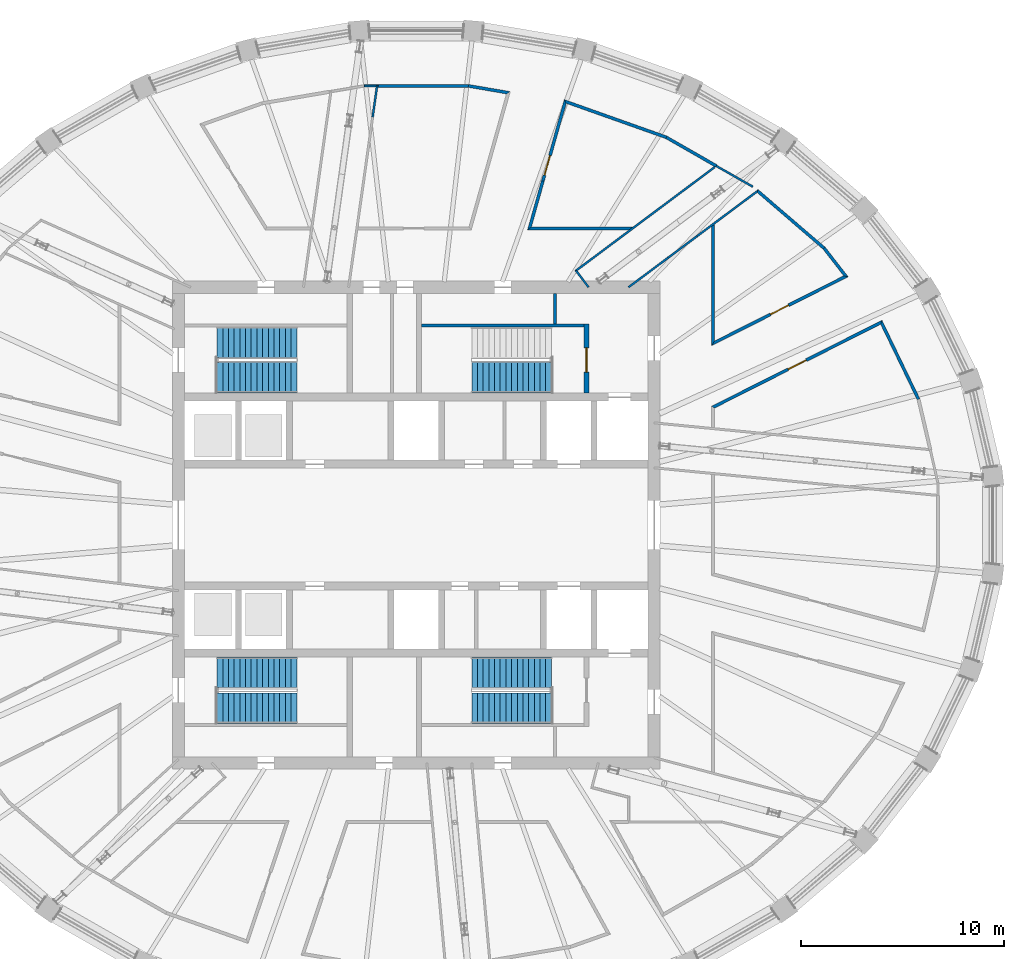
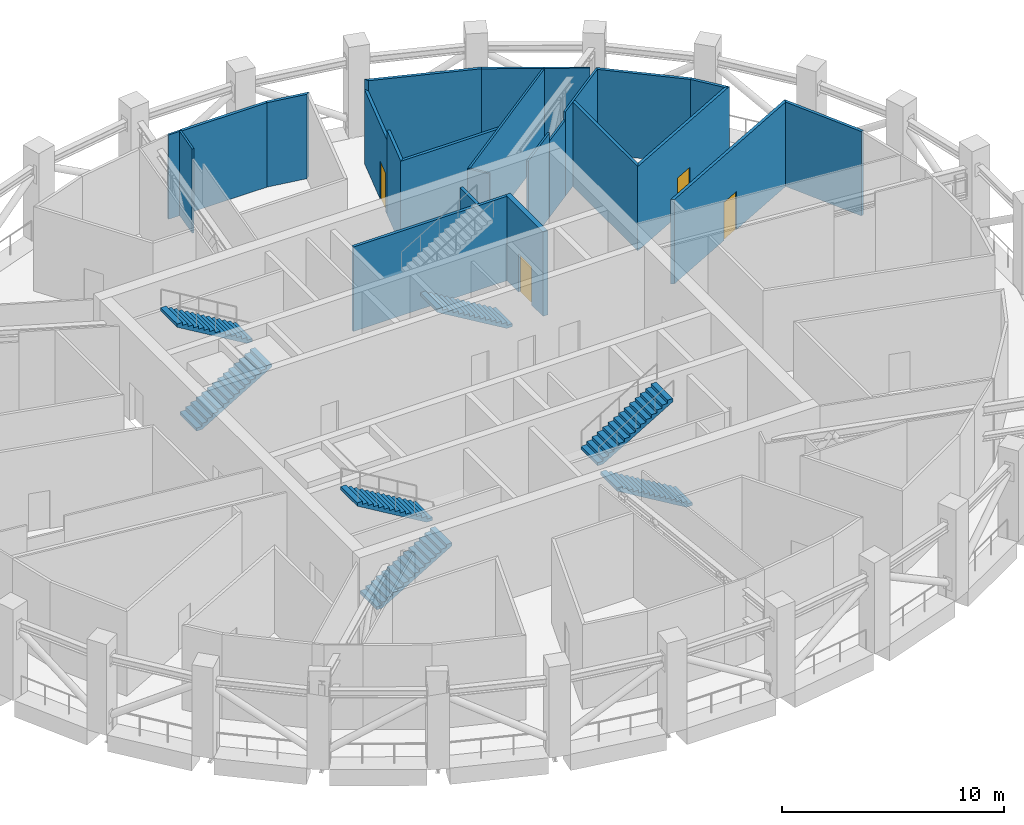
# One storey, part 11 of 20: 24 walls, 7 stair flights, 4 doors, 4 openings, 4 elements without a shape of their own.
"""IFC4 building model written with IfcOpenShell, lengths in metres."""

from ifc_helpers import new_model, si_unit, direction, frame, frame_2d, origin, place, context, subcontext, project, spatial, polyline, rectangle, outline, extrude, material, layer, layer_set, type_object, element, fill, aggregate, save


model = new_model("IFC4")

# Units and contexts
model_context = context("Model", 3, precision=1e-05, world=origin(), true_north=direction((0.0, 1.0)))
body_context = subcontext(model_context, "Body", "Model", "MODEL_VIEW")
ifc_project = project(units=[si_unit("LENGTHUNIT", "METRE"), si_unit("AREAUNIT", "SQUARE_METRE"), si_unit("VOLUMEUNIT", "CUBIC_METRE"), si_unit("PLANEANGLEUNIT", "RADIAN"), si_unit("MASSUNIT", "GRAM", prefix="KILO")], contexts=[model_context])

# Site, building, storey
site_placement = place(None, origin())
site = spatial("IfcSite", under=ifc_project, at=site_placement, CompositionType="ELEMENT")
building_placement = place(site_placement, origin())
building = spatial("IfcBuilding", under=site, at=building_placement, Name="Halqa Exchange Tower", CompositionType="ELEMENT")
storey_placement = place(building_placement, frame((0.0, 0.0, 328.300048828125)))
storey = spatial("IfcBuildingStorey", under=building, at=storey_placement, Name="L77", CompositionType="ELEMENT", Elevation=328.300048828125)

# Walls
ifc_material_1 = material(Name="Fire-rated gypsum board")
ifc_layer_1 = layer(ifc_material_1, 0.14990234375)
ifc_layer_set_1 = layer_set([ifc_layer_1], Name="Fire-rated gypsum board")
wall_type_1 = type_object("IfcWallType", Name="Fire partition EI 60 150", PredefinedType="PARTITIONING", material=ifc_layer_set_1)
wall_1_placement = place(storey_placement, frame((2.56640625, 21.610107421875, 0.0), z_axis=(0.0, 0.0, 1.0), x_axis=(-1.0, 0.0, 0.0)))
element("IfcWall", 1, at=wall_1_placement, inside=storey, type_object=wall_type_1, Name="L77-PWL-050", PredefinedType="PARTITIONING", context=body_context, shape_type="SweptSolid", body=[
    extrude(outline(polyline([(4.4462890625, 0.074951171875), (2.968505859375, 0.074951171875), (1.49072265625, 0.074951171875), (0.0126953125, 0.074951171875), (0.0, -0.074951171875), (1.482177734375, -0.074951171875), (2.964111328125, -0.074951171875), (4.4462890625, -0.074951171875), (4.4462890625, 0.074951171875)])), origin(), (0.0, 0.0, 1.0), 4.64990234375),
])
wall_2_placement = place(storey_placement, frame((2.5537109375, 21.611083984375, 0.0), z_axis=(0.0, 0.0, 1.0), x_axis=(0.985576619606, -0.169229804956, 0.0)))
element("IfcWall", 2, at=wall_2_placement, inside=storey, type_object=wall_type_1, Name="L77-PWL-051", PredefinedType="PARTITIONING", context=body_context, shape_type="SweptSolid", body=[
    extrude(outline(polyline([(0.0126953125, -0.074951171875), (1.92236328125, -0.074951171875), (2.0888671875, 0.074951171875), (2.0888671875, 0.074951171875), (0.0, 0.074951171875), (0.0, 0.074951171875), (0.0126953125, -0.074951171875)])), origin(), (0.0, 0.0, 1.0), 4.64990234375),
])
wall_3_placement = place(storey_placement, frame((5.470947265625, 14.60009765625, 0.0), z_axis=(0.0, 0.0, 1.0), x_axis=(1.0, 0.0, 0.0)))
element("IfcWall", 3, at=wall_3_placement, inside=storey, type_object=wall_type_1, Name="L77-PWL-055", PredefinedType="PARTITIONING", context=body_context, shape_type="SweptSolid", body=[
    extrude(outline(polyline([(0.000244140625, -0.074951171875), (1.6640625, -0.074951171875), (3.328125, -0.074951171875), (4.991943359375, -0.074951171875), (5.192626953125, 0.074951171875), (5.192626953125, 0.074951171875), (3.52783203125, 0.074951171875), (1.863037109375, 0.074951171875), (0.1982421875, 0.074951171875), (0.1982421875, 0.074951171875), (0.1982421875, 0.074951171875), (0.09912109375, 0.0), (0.000244140625, -0.074951171875)])), origin(), (0.0, 0.0, 1.0), 4.64990234375),
])

# Wall, opening, door
wall_4_placement = place(storey_placement, frame((7.353515625, 20.918701171875, 0.0), z_axis=(0.0, 0.0, 1.0), x_axis=(-0.271630861441, -0.9624015145, 0.0)))
wall_4 = element("IfcWall", 4, at=wall_4_placement, inside=storey, type_object=wall_type_1, Name="L77-PWL-057", PredefinedType="PARTITIONING", context=body_context, shape_type="SweptSolid", body=[
    extrude(outline(polyline([(4.144287109375, 0.074951171875), (2.15234375, 0.074951171875), (0.16015625, 0.074951171875), (0.0, -0.074951171875), (1.381591796875, -0.074951171875), (2.762939453125, -0.074951171875), (4.144287109375, -0.074951171875), (4.144287109375, 0.074951171875)])), origin(), (0.0, 0.0, 1.0), 4.099853515625),
])
opening_1_placement = place(wall_4_placement, frame((2.844482421875, 0.0, 0.0)))
opening_1 = element("IfcOpeningElement", 5, at=opening_1_placement, cuts=wall_4, Name="Opening L77-11", PredefinedType="OPENING", context=body_context, shape_type="SweptSolid", body=[
    extrude(rectangle(XDim=1.0, YDim=2.10009765625, at=frame_2d((0.5, 1.050048828125))), frame((0.0, 0.0869140625, 0.0), z_axis=(0.0, -1.0, 0.0), x_axis=(1.0, 0.0, 0.0)), (0.0, 0.0, 1.0), 0.173828125),
])
ifc_material_2 = material(Name="Steel fire door leaf", Category="steel")
door_type_1 = type_object("IfcDoorType", Name="Fire door FD30S 1000 x 2100", OperationType="SINGLE_SWING_LEFT", PredefinedType="DOOR", material=ifc_material_2)
door_1_placement = place(opening_1_placement, origin())
door_1 = element("IfcDoor", 6, at=door_1_placement, inside=storey, type_object=door_type_1, Name="L77-IDR-011", OperationType="SINGLE_SWING_LEFT", OverallHeight=2.10009765625, OverallWidth=1.0, PredefinedType="DOOR", context=body_context, shape_type="SweptSolid", body=[
    extrude(rectangle(XDim=1.0, YDim=2.10009765625, at=frame_2d((0.5, 1.050048828125))), frame((0.0, 0.02490234375, 0.0), z_axis=(0.0, -1.0, 0.0), x_axis=(1.0, 0.0, 0.0)), (0.0, 0.0, 1.0), 0.050048828125),
])
fill(opening_1, door_1)

# Wall
wall_5_placement = place(storey_placement, frame((12.306396484375, 19.07763671875, 0.0), z_axis=(0.0, 0.0, 1.0), x_axis=(-0.942502297723, 0.334199669042, 0.0)))
element("IfcWall", 7, at=wall_5_placement, inside=storey, type_object=wall_type_1, Name="L77-PWL-073", PredefinedType="PARTITIONING", context=body_context, shape_type="SweptSolid", body=[
    extrude(outline(polyline([(0.0, -0.074951171875), (1.7861328125, -0.074951171875), (3.572265625, -0.074951171875), (5.358154296875, -0.074951171875), (5.197998046875, 0.074951171875), (3.469970703125, 0.074951171875), (1.74169921875, 0.074951171875), (0.013671875, 0.074951171875), (0.0, -0.074951171875)])), origin(), (0.0, 0.0, 1.0), 4.64990234375),
])

# Wall, opening, door
wall_6_placement = place(storey_placement, frame((14.4912109375, 8.885009765625, 0.0), z_axis=(0.0, 0.0, 1.0), x_axis=(0.892775886328, 0.450501073018, 0.0)))
wall_6 = element("IfcWall", 8, at=wall_6_placement, inside=storey, type_object=wall_type_1, Name="L77-PWL-079", PredefinedType="PARTITIONING", context=body_context, shape_type="SweptSolid", body=[
    extrude(outline(polyline([(0.0, -0.074951171875), (1.884521484375, -0.074951171875), (3.76904296875, -0.074951171875), (5.653564453125, -0.074951171875), (7.538330078125, -0.074951171875), (7.3564453125, 0.074951171875), (5.578125, 0.074951171875), (3.800048828125, 0.074951171875), (2.021728515625, 0.074951171875), (0.24365234375, 0.074951171875), (0.0, -0.074951171875), (0.0, -0.074951171875)])), origin(), (0.0, 0.0, 1.0), 4.64990234375),
])
opening_2_placement = place(wall_6_placement, frame((3.28466796875, 0.0, 0.0)))
opening_2 = element("IfcOpeningElement", 9, at=opening_2_placement, cuts=wall_6, Name="Opening L77-10", PredefinedType="OPENING", context=body_context, shape_type="SweptSolid", body=[
    extrude(rectangle(XDim=1.0, YDim=2.10009765625, at=frame_2d((0.5, 1.050048828125))), frame((0.0, 0.0869140625, 0.0), z_axis=(0.0, -1.0, 0.0), x_axis=(1.0, 0.0, 0.0)), (0.0, 0.0, 1.0), 0.173828125),
])
door_2_placement = place(opening_2_placement, origin())
door_2 = element("IfcDoor", 10, at=door_2_placement, inside=storey, type_object=door_type_1, Name="L77-IDR-010", OperationType="SINGLE_SWING_LEFT", OverallHeight=2.10009765625, OverallWidth=1.0, PredefinedType="DOOR", context=body_context, shape_type="SweptSolid", body=[
    extrude(rectangle(XDim=1.0, YDim=2.10009765625, at=frame_2d((0.5, 1.050048828125))), frame((0.0, 0.02490234375, 0.0), z_axis=(0.0, -1.0, 0.0), x_axis=(1.0, 0.0, 0.0)), (0.0, 0.0, 1.0), 0.050048828125),
])
fill(opening_2, door_2)

# Walls
wall_7_placement = place(storey_placement, frame((14.60009765625, 14.79443359375, 0.0), z_axis=(0.0, 0.0, 1.0), x_axis=(0.0, -1.0, 0.0)))
element("IfcWall", 11, at=wall_7_placement, inside=storey, type_object=wall_type_1, Name="L77-PWL-080", PredefinedType="PARTITIONING", context=body_context, shape_type="SweptSolid", body=[
    extrude(outline(polyline([(0.111328125, -0.074951171875), (2.066162109375, -0.074951171875), (4.021240234375, -0.074951171875), (5.97607421875, -0.074951171875), (5.8544921875, 0.0), (5.732421875, 0.074951171875), (5.732421875, 0.074951171875), (5.732421875, 0.074951171875), (3.82177734375, 0.074951171875), (1.910888671875, 0.074951171875), (0.0, 0.074951171875), (0.0, 0.074462890625), (0.111328125, -0.074951171875)])), origin(), (0.0, 0.0, 1.0), 4.64990234375),
])
wall_8_placement = place(storey_placement, frame((14.760009765625, 17.669921875, 0.0), z_axis=(0.0, 0.0, 1.0), x_axis=(-0.867555136947, 0.497341014151, 0.0)))
element("IfcWall", 12, at=wall_8_placement, inside=storey, type_object=wall_type_1, Name="L77-PWL-081", PredefinedType="PARTITIONING", context=body_context, shape_type="SweptSolid", body=[
    extrude(outline(polyline([(0.0, -0.074951171875), (1.421142578125, -0.074951171875), (2.84228515625, -0.074951171875), (2.828857421875, 0.074951171875), (1.414306640625, 0.074951171875), (0.0, 0.074951171875), (0.0, -0.074951171875)])), origin(), (0.0, 0.0, 1.0), 4.64990234375),
])
wall_9_placement = place(storey_placement, frame((20.07568359375, 13.614990234375, 0.0), z_axis=(0.0, 0.0, 1.0), x_axis=(-0.758268185536, 0.651942757306, 0.0)))
element("IfcWall", 13, at=wall_9_placement, inside=storey, type_object=wall_type_1, Name="L77-PWL-086", PredefinedType="PARTITIONING", context=body_context, shape_type="SweptSolid", body=[
    extrude(outline(polyline([(0.0, -0.074951171875), (1.4541015625, -0.074951171875), (2.908447265625, -0.074951171875), (4.362548828125, -0.074951171875), (4.293701171875, 0.074951171875), (2.867431640625, 0.074951171875), (1.44140625, 0.074951171875), (0.01513671875, 0.074951171875), (0.0, -0.074951171875)])), origin(), (0.0, 0.0, 1.0), 4.64990234375),
])
wall_10_placement = place(storey_placement, frame((21.19580078125, 12.168212890625, 0.0), z_axis=(0.0, 0.0, 1.0), x_axis=(-0.612776292464, 0.790256423823, 0.0)))
element("IfcWall", 14, at=wall_10_placement, inside=storey, type_object=wall_type_1, Name="L77-PWL-087", PredefinedType="PARTITIONING", context=body_context, shape_type="SweptSolid", body=[
    extrude(outline(polyline([(0.0, -0.074951171875), (1.8447265625, -0.074951171875), (1.82958984375, 0.074951171875), (0.181640625, 0.074951171875), (0.0, -0.07470703125), (0.0, -0.074951171875)])), origin(), (0.0, 0.0, 1.0), 4.64990234375),
])

# Wall, opening, door
wall_11_placement = place(storey_placement, frame((22.947998046875, 10.014404296875, 0.0), z_axis=(0.0, 0.0, 1.0), x_axis=(-0.892695521655, -0.450660299579, 0.0)))
wall_11 = element("IfcWall", 15, at=wall_11_placement, inside=storey, type_object=wall_type_1, Name="L77-PWL-089", PredefinedType="PARTITIONING", context=body_context, shape_type="SweptSolid", body=[
    extrude(outline(polyline([(9.3974609375, -0.074951171875), (9.3974609375, -0.07470703125), (9.305419921875, 0.074951171875), (7.474853515625, 0.074951171875), (5.644287109375, 0.074951171875), (3.813720703125, 0.074951171875), (1.98291015625, 0.074951171875), (0.15234375, 0.074951171875), (0.0, -0.07470703125), (0.0, -0.074951171875), (1.87939453125, -0.074951171875), (3.759033203125, -0.074951171875), (5.638427734375, -0.074951171875), (7.51806640625, -0.074951171875), (9.3974609375, -0.074951171875)])), origin(), (0.0, 0.0, 1.0), 4.64990234375),
])
opening_3_placement = place(wall_11_placement, frame((4.214111328125, 0.0, 0.0)))
opening_3 = element("IfcOpeningElement", 16, at=opening_3_placement, cuts=wall_11, Name="Opening L77-09", PredefinedType="OPENING", context=body_context, shape_type="SweptSolid", body=[
    extrude(rectangle(XDim=1.0, YDim=2.10009765625, at=frame_2d((0.5, 1.050048828125))), frame((0.0, 0.0869140625, 0.0), z_axis=(0.0, -1.0, 0.0), x_axis=(1.0, 0.0, 0.0)), (0.0, 0.0, 1.0), 0.173828125),
])
door_3_placement = place(opening_3_placement, origin())
door_3 = element("IfcDoor", 17, at=door_3_placement, inside=storey, type_object=door_type_1, Name="L77-IDR-009", OperationType="SINGLE_SWING_RIGHT", OverallHeight=2.10009765625, OverallWidth=1.0, PredefinedType="DOOR", context=body_context, shape_type="SweptSolid", body=[
    extrude(rectangle(XDim=1.0, YDim=2.10009765625, at=frame_2d((0.5, 1.050048828125))), frame((0.0, 0.02490234375, 0.0), z_axis=(0.0, -1.0, 0.0), x_axis=(1.0, 0.0, 0.0)), (0.0, 0.0, 1.0), 0.050048828125),
])
fill(opening_3, door_3)

# Walls
wall_12_placement = place(storey_placement, frame((24.713623046875, 6.1826171875, 0.0), z_axis=(0.0, 0.0, 1.0), x_axis=(-0.434865155108, 0.900495584038, 0.0)))
element("IfcWall", 18, at=wall_12_placement, inside=storey, type_object=wall_type_1, Name="L77-PWL-091", PredefinedType="PARTITIONING", context=body_context, shape_type="SweptSolid", body=[
    extrude(outline(polyline([(0.0, -0.074951171875), (1.430908203125, -0.074951171875), (2.862060546875, -0.074951171875), (4.29296875, -0.074951171875), (4.140380859375, 0.074951171875), (2.765869140625, 0.074951171875), (1.39111328125, 0.074951171875), (0.0166015625, 0.074951171875), (0.0, -0.07421875), (0.0, -0.074951171875)])), origin(), (0.0, 0.0, 1.0), 4.64990234375),
])
wall_13_placement = place(storey_placement, frame((6.227783203125, 16.93017578125, 0.0), z_axis=(0.0, 0.0, 1.0), x_axis=(-0.271623518644, -0.962403586922, 0.0)))
element("IfcWall", 19, at=wall_13_placement, inside=storey, type_object=wall_type_1, Name="L77-PWL-103", PredefinedType="PARTITIONING", context=body_context, shape_type="SweptSolid", body=[
    extrude(outline(polyline([(0.0, -0.074951171875), (1.260009765625, -0.074951171875), (2.52001953125, -0.074951171875), (2.322021484375, 0.074951171875), (0.0, 0.074951171875), (0.0, -0.074951171875)])), origin(), (0.0, 0.0, 1.0), 4.64990234375),
])
ifc_material_3 = material(Name="Gypsum board")
ifc_layer_2 = layer(ifc_material_3, 0.10009765625)
ifc_layer_set_2 = layer_set([ifc_layer_2], Name="Gypsum board")
wall_type_2 = type_object("IfcWallType", Name="Partition 100 gypsum", PredefinedType="PARTITIONING", material=ifc_layer_set_2)
wall_14_placement = place(storey_placement, frame((-1.880615234375, 21.610107421875, 0.0), z_axis=(0.0, 0.0, 1.0), x_axis=(-1.0, 0.0, 0.0)))
element("IfcWall", 20, at=wall_14_placement, inside=storey, type_object=wall_type_2, Name="L77-PWL-045", PredefinedType="PARTITIONING", context=body_context, shape_type="SweptSolid", body=[
    extrude(outline(polyline([(0.68359375, -0.050048828125), (0.68359375, -0.0498046875), (0.68359375, -0.0498046875), (0.666748046875, 0.048828125), (0.674560546875, 0.050048828125), (0.10595703125, 0.050048828125), (0.097900390625, -0.0068359375), (0.0, 0.007080078125), (0.0, -0.050048828125), (0.68359375, -0.050048828125)])), origin(), (0.0, 0.0, 1.0), 4.64990234375),
])
wall_15_placement = place(storey_placement, frame((7.82958984375, 12.56005859375, 0.0), z_axis=(0.0, 0.0, 1.0), x_axis=(0.603146922662, -0.79763010831, 0.0)))
element("IfcWall", 21, at=wall_15_placement, inside=storey, type_object=wall_type_2, Name="L77-PWL-059", PredefinedType="PARTITIONING", context=body_context, shape_type="SweptSolid", body=[
    extrude(outline(polyline([(1.078369140625, 0.050048828125), (0.1005859375, 0.050048828125), (0.0, -0.0498046875), (0.0, -0.050048828125), (1.078369140625, -0.050048828125), (1.078369140625, 0.050048828125)])), origin(), (0.0, 0.0, 1.0), 4.64990234375),
])
wall_16_placement = place(storey_placement, frame((7.819580078125, 12.489990234375, 0.0), z_axis=(0.0, 0.0, 1.0), x_axis=(0.801408213351, 0.598117777343, 0.0)))
element("IfcWall", 22, at=wall_16_placement, inside=storey, type_object=wall_type_2, Name="L77-PWL-060", PredefinedType="PARTITIONING", context=body_context, shape_type="SweptSolid", body=[
    extrude(outline(polyline([(0.0, 0.050048828125), (0.0, 0.0498046875), (0.1005859375, -0.050048828125), (1.7919921875, -0.050048828125), (3.4833984375, -0.050048828125), (5.175048828125, -0.050048828125), (6.866455078125, -0.050048828125), (8.557861328125, -0.050048828125), (8.557861328125, 0.050048828125), (6.84619140625, 0.050048828125), (5.134765625, 0.050048828125), (3.423095703125, 0.050048828125), (1.711669921875, 0.050048828125), (0.0, 0.050048828125)])), origin(), (0.0, 0.0, 1.0), 4.64990234375),
])
wall_17_placement = place(storey_placement, frame((10.43994140625, 11.699951171875, 0.0), z_axis=(0.0, 0.0, 1.0), x_axis=(0.801719620775, 0.597700300873, 0.0)))
element("IfcWall", 23, at=wall_17_placement, inside=storey, type_object=wall_type_2, Name="L77-PWL-065", PredefinedType="PARTITIONING", context=body_context, shape_type="SweptSolid", body=[
    extrude(outline(polyline([(0.0, 0.050048828125), (0.0, -0.050048828125), (2.431640625, -0.050048828125), (2.431640625, 0.050048828125), (0.0, 0.050048828125)])), origin(), (0.0, 0.0, 1.0), 4.64990234375),
])
wall_18_placement = place(storey_placement, frame((16.5634765625, 16.645263671875, 0.0), z_axis=(0.0, 0.0, 1.0), x_axis=(-0.86946460017, 0.493995252053, 0.0)))
element("IfcWall", 24, at=wall_18_placement, inside=storey, type_object=wall_type_2, Name="L77-PWL-083", PredefinedType="PARTITIONING", context=body_context, shape_type="SweptSolid", body=[
    extrude(rectangle(XDim=2.07421875, YDim=0.10009765625, at=frame_2d((1.037109375, 0.0))), origin(), (0.0, 0.0, 1.0), 4.64990234375),
])
wall_19_placement = place(storey_placement, frame((-2.146728515625, 20.070068359375, 0.0), z_axis=(0.0, 0.0, 1.0), x_axis=(0.140036551546, 0.990146334756, 0.0)))
element("IfcWall", 25, at=wall_19_placement, inside=storey, type_object=wall_type_2, Name="L77-PWL-102", PredefinedType="PARTITIONING", context=body_context, shape_type="SweptSolid", body=[
    extrude(rectangle(XDim=1.55517578125, YDim=0.10009765625, at=frame_2d((0.777587890625, 0.0))), origin(), (0.0, 0.0, 1.0), 4.64990234375),
])
wall_20_placement = place(storey_placement, frame((12.389404296875, 13.1533203125, 0.0), z_axis=(0.0, 0.0, 1.0), x_axis=(0.801690929697, 0.597738783451, 0.0)))
element("IfcWall", 26, at=wall_20_placement, inside=storey, type_object=wall_type_2, Name="L77-PWL-104", PredefinedType="PARTITIONING", context=body_context, shape_type="SweptSolid", body=[
    extrude(outline(polyline([(0.0, 0.050048828125), (0.0, -0.050048828125), (1.78125, -0.050048828125), (1.78125, 0.050048828125), (0.0, 0.050048828125)])), origin(), (0.0, 0.0, 1.0), 4.199951171875),
])
wall_21_placement = place(storey_placement, frame((13.8173828125, 14.218017578125, 0.0), z_axis=(0.0, 0.0, 1.0), x_axis=(0.801741359851, 0.597671140264, 0.0)))
element("IfcWall", 27, at=wall_21_placement, inside=storey, type_object=wall_type_2, Name="L77-PWL-105", PredefinedType="PARTITIONING", context=body_context, shape_type="SweptSolid", body=[
    extrude(outline(polyline([(0.0, -0.050048828125), (1.8232421875, -0.050048828125), (3.646728515625, -0.050048828125), (3.778076171875, 0.050048828125), (3.778076171875, 0.050048828125), (1.88916015625, 0.050048828125), (0.0, 0.050048828125), (0.0, -0.050048828125)])), origin(), (0.0, 0.0, 1.0), 4.64990234375),
])
ifc_layer_3 = layer(ifc_material_3, 0.14990234375)
ifc_layer_set_3 = layer_set([ifc_layer_3], Name="Gypsum board")
wall_type_3 = type_object("IfcWallType", Name="Penthouse riser wall 150 gypsum", PredefinedType="PARTITIONING", material=ifc_layer_set_3)
wall_22_placement = place(storey_placement, frame((6.824951171875, 9.89990234375, 0.0), z_axis=(0.0, 0.0, 1.0), x_axis=(0.0, 1.0, 0.0)))
element("IfcWall", 28, at=wall_22_placement, inside=storey, type_object=wall_type_3, Name="Firefighting lobby west wall N", PredefinedType="PARTITIONING", context=body_context, shape_type="SweptSolid", body=[
    extrude(rectangle(XDim=1.5, YDim=0.14990234375, at=frame_2d((0.75, 0.0))), origin(), (0.0, 0.0, 1.0), 4.64990234375),
])
ifc_material_4 = material(Name="Concrete C30/37", Category="concrete")
ifc_layer_4 = layer(ifc_material_4, 0.14990234375)
ifc_layer_set_4 = layer_set([ifc_layer_4], Name="Concrete C30/37")
wall_type_4 = type_object("IfcWallType", Name="RC stair wall 150 C30/37", PredefinedType="SHEAR", material=ifc_layer_set_4)
wall_23_placement = place(storey_placement, frame((0.25, 9.824951171875, 0.0), z_axis=(0.0, 0.0, 1.0), x_axis=(1.0, 0.0, 0.0)))
element("IfcWall", 29, at=wall_23_placement, inside=storey, type_object=wall_type_4, Name="Stair ST2 north wall N", PredefinedType="SHEAR", context=body_context, shape_type="SweptSolid", body=[
    extrude(rectangle(XDim=8.0, YDim=0.14990234375, at=frame_2d((4.0, 0.0))), origin(), (0.0, 0.0, 1.0), 4.64990234375),
])

# Wall, opening, door
ifc_layer_5 = layer(ifc_material_4, 0.25)
ifc_layer_set_5 = layer_set([ifc_layer_5], Name="Concrete C30/37")
wall_type_5 = type_object("IfcWallType", Name="RC stair wall 250 C30/37", PredefinedType="SHEAR", material=ifc_layer_set_5)
wall_24_placement = place(storey_placement, frame((8.375, 6.5, 0.0), z_axis=(0.0, 0.0, 1.0), x_axis=(0.0, 1.0, 0.0)))
wall_24 = element("IfcWall", 30, at=wall_24_placement, inside=storey, type_object=wall_type_5, Name="Stair ST2 east wall N", PredefinedType="SHEAR", context=body_context, shape_type="SweptSolid", body=[
    extrude(rectangle(XDim=3.39990234375, YDim=0.25, at=frame_2d((1.699951171875, 0.0))), origin(), (0.0, 0.0, 1.0), 4.64990234375),
])
opening_4_placement = place(wall_24_placement, frame((1.02490234375, 0.0, 0.0)))
opening_4 = element("IfcOpeningElement", 31, at=opening_4_placement, cuts=wall_24, Name="Opening L77-C08", PredefinedType="OPENING", context=body_context, shape_type="SweptSolid", body=[
    extrude(rectangle(XDim=1.199951171875, YDim=2.10009765625, at=frame_2d((0.60009765625, 1.050048828125))), frame((0.0, 0.136962890625, 0.0), z_axis=(0.0, -1.0, 0.0), x_axis=(1.0, 0.0, 0.0)), (0.0, 0.0, 1.0), 0.27392578125),
])
door_type_2 = type_object("IfcDoorType", Name="Stair door FD90 1200 x 2100", OperationType="SINGLE_SWING_LEFT", PredefinedType="DOOR", material=ifc_material_2)
door_4_placement = place(opening_4_placement, origin())
door_4 = element("IfcDoor", 32, at=door_4_placement, inside=storey, type_object=door_type_2, Name="Stair door ST2", OperationType="SINGLE_SWING_LEFT", OverallHeight=2.10009765625, OverallWidth=1.199951171875, PredefinedType="DOOR", context=body_context, shape_type="SweptSolid", body=[
    extrude(rectangle(XDim=1.199951171875, YDim=2.10009765625, at=frame_2d((0.60009765625, 1.050048828125))), frame((0.0, 0.02490234375, 0.0), z_axis=(0.0, -1.0, 0.0), x_axis=(1.0, 0.0, 0.0)), (0.0, 0.0, 1.0), 0.050048828125),
])
fill(opening_4, door_4)

# Stair, stair flights
stair_type = type_object("IfcStairType", Name="Exit stair 1500 wide", PredefinedType="HALF_TURN_STAIR", material=ifc_material_4)
stair_1_placement = place(storey_placement, origin())
stair_1 = element("IfcStair", 33, at=stair_1_placement, inside=storey, type_object=stair_type, Name="Exit stair ST1", PredefinedType="HALF_TURN_STAIR")
stair_flight_type = type_object("IfcStairFlightType", Name="Stair flight 1500 wide", PredefinedType="STRAIGHT", material=ifc_material_4)
stair_flight_1_placement = place(storey_placement, frame((-9.800048828125, 7.25, 0.0), z_axis=(0.0, 0.0, 1.0), x_axis=(1.0, 0.0, 0.0)))
stair_flight_1 = element("IfcStairFlight", 34, at=stair_flight_1_placement, type_object=stair_flight_type, Name="ST1 flight 1", NumberOfRisers=15, NumberOfTreads=14, PredefinedType="STRAIGHT", RiserHeight=0.166666667, TreadLength=0.28, context=body_context, shape_type="SweptSolid", body=[
    extrude(outline(polyline([(0.0, 0.0), (0.0, 0.166748046875), (0.280029296875, 0.166748046875), (0.280029296875, 0.333251953125), (0.56005859375, 0.333251953125), (0.56005859375, 0.5), (0.840087890625, 0.5), (0.840087890625, 0.666748046875), (1.1201171875, 0.666748046875), (1.1201171875, 0.833251953125), (1.39990234375, 0.833251953125), (1.39990234375, 1.0), (1.679931640625, 1.0), (1.679931640625, 1.166748046875), (1.9599609375, 1.166748046875), (1.9599609375, 1.333251953125), (2.239990234375, 1.333251953125), (2.239990234375, 1.5), (2.52001953125, 1.5), (2.52001953125, 1.666748046875), (2.800048828125, 1.666748046875), (2.800048828125, 1.833251953125), (3.080078125, 1.833251953125), (3.080078125, 2.0), (3.360107421875, 2.0), (3.360107421875, 2.166748046875), (3.639892578125, 2.166748046875), (3.639892578125, 2.333251953125), (3.919921875, 2.333251953125), (3.919921875, 2.5), (3.919921875, 2.158935546875), (0.29296875, 0.0), (0.0, 0.0)])), frame((0.0, 0.75, 0.0), z_axis=(0.0, -1.0, 0.0), x_axis=(1.0, 0.0, 0.0)), (0.0, 0.0, 1.0), 1.5),
])
stair_flight_2_placement = place(storey_placement, frame((-5.8798828125, 9.0, 2.5), z_axis=(0.0, 0.0, 1.0), x_axis=(-1.0, 0.0, 0.0)))
stair_flight_2 = element("IfcStairFlight", 35, at=stair_flight_2_placement, type_object=stair_flight_type, Name="ST1 flight 2", NumberOfRisers=15, NumberOfTreads=14, PredefinedType="STRAIGHT", RiserHeight=0.166666667, TreadLength=0.28, context=body_context, shape_type="SweptSolid", body=[
    extrude(outline(polyline([(0.0, 0.0), (0.0, 0.166748046875), (0.280029296875, 0.166748046875), (0.280029296875, 0.333251953125), (0.56005859375, 0.333251953125), (0.56005859375, 0.5), (0.840087890625, 0.5), (0.840087890625, 0.666748046875), (1.1201171875, 0.666748046875), (1.1201171875, 0.833251953125), (1.39990234375, 0.833251953125), (1.39990234375, 1.0), (1.679931640625, 1.0), (1.679931640625, 1.166748046875), (1.9599609375, 1.166748046875), (1.9599609375, 1.333251953125), (2.239990234375, 1.333251953125), (2.239990234375, 1.5), (2.52001953125, 1.5), (2.52001953125, 1.666748046875), (2.800048828125, 1.666748046875), (2.800048828125, 1.833251953125), (3.080078125, 1.833251953125), (3.080078125, 2.0), (3.360107421875, 2.0), (3.360107421875, 2.166748046875), (3.639892578125, 2.166748046875), (3.639892578125, 2.333251953125), (3.919921875, 2.333251953125), (3.919921875, 2.5), (3.919921875, 2.158935546875), (0.29296875, 0.0), (0.0, 0.0)])), frame((0.0, 0.75, 0.0), z_axis=(0.0, -1.0, 0.0), x_axis=(1.0, 0.0, 0.0)), (0.0, 0.0, 1.0), 1.5),
])
aggregate(stair_1, [stair_flight_1, stair_flight_2])

# Stair, stair flight
stair_2_placement = place(storey_placement, origin())
stair_2 = element("IfcStair", 36, at=stair_2_placement, inside=storey, type_object=stair_type, Name="Exit stair ST2", PredefinedType="HALF_TURN_STAIR")
stair_flight_3_placement = place(storey_placement, frame((6.64990234375, 7.25, 0.0), z_axis=(0.0, 0.0, 1.0), x_axis=(-1.0, 0.0, 0.0)))
stair_flight_3 = element("IfcStairFlight", 37, at=stair_flight_3_placement, type_object=stair_flight_type, Name="ST2 flight 1", NumberOfRisers=15, NumberOfTreads=14, PredefinedType="STRAIGHT", RiserHeight=0.166666667, TreadLength=0.28, context=body_context, shape_type="SweptSolid", body=[
    extrude(outline(polyline([(0.0, 0.0), (0.0, 0.166748046875), (0.280029296875, 0.166748046875), (0.280029296875, 0.333251953125), (0.56005859375, 0.333251953125), (0.56005859375, 0.5), (0.840087890625, 0.5), (0.840087890625, 0.666748046875), (1.1201171875, 0.666748046875), (1.1201171875, 0.833251953125), (1.39990234375, 0.833251953125), (1.39990234375, 1.0), (1.679931640625, 1.0), (1.679931640625, 1.166748046875), (1.9599609375, 1.166748046875), (1.9599609375, 1.333251953125), (2.239990234375, 1.333251953125), (2.239990234375, 1.5), (2.52001953125, 1.5), (2.52001953125, 1.666748046875), (2.800048828125, 1.666748046875), (2.800048828125, 1.833251953125), (3.080078125, 1.833251953125), (3.080078125, 2.0), (3.360107421875, 2.0), (3.360107421875, 2.166748046875), (3.639892578125, 2.166748046875), (3.639892578125, 2.333251953125), (3.919921875, 2.333251953125), (3.919921875, 2.5), (3.919921875, 2.158935546875), (0.29296875, 0.0), (0.0, 0.0)])), frame((0.0, 0.75, 0.0), z_axis=(0.0, -1.0, 0.0), x_axis=(1.0, 0.0, 0.0)), (0.0, 0.0, 1.0), 1.5),
])
aggregate(stair_2, [stair_flight_3])

# Stair, stair flights
stair_3_placement = place(storey_placement, origin())
stair_3 = element("IfcStair", 38, at=stair_3_placement, inside=storey, type_object=stair_type, Name="Exit stair ST3", PredefinedType="HALF_TURN_STAIR")
stair_flight_4_placement = place(storey_placement, frame((-9.800048828125, -9.0, 0.0), z_axis=(0.0, 0.0, 1.0), x_axis=(1.0, 0.0, 0.0)))
stair_flight_4 = element("IfcStairFlight", 39, at=stair_flight_4_placement, type_object=stair_flight_type, Name="ST3 flight 1", NumberOfRisers=15, NumberOfTreads=14, PredefinedType="STRAIGHT", RiserHeight=0.166666667, TreadLength=0.28, context=body_context, shape_type="SweptSolid", body=[
    extrude(outline(polyline([(0.0, 0.0), (0.0, 0.166748046875), (0.280029296875, 0.166748046875), (0.280029296875, 0.333251953125), (0.56005859375, 0.333251953125), (0.56005859375, 0.5), (0.840087890625, 0.5), (0.840087890625, 0.666748046875), (1.1201171875, 0.666748046875), (1.1201171875, 0.833251953125), (1.39990234375, 0.833251953125), (1.39990234375, 1.0), (1.679931640625, 1.0), (1.679931640625, 1.166748046875), (1.9599609375, 1.166748046875), (1.9599609375, 1.333251953125), (2.239990234375, 1.333251953125), (2.239990234375, 1.5), (2.52001953125, 1.5), (2.52001953125, 1.666748046875), (2.800048828125, 1.666748046875), (2.800048828125, 1.833251953125), (3.080078125, 1.833251953125), (3.080078125, 2.0), (3.360107421875, 2.0), (3.360107421875, 2.166748046875), (3.639892578125, 2.166748046875), (3.639892578125, 2.333251953125), (3.919921875, 2.333251953125), (3.919921875, 2.5), (3.919921875, 2.158935546875), (0.29296875, 0.0), (0.0, 0.0)])), frame((0.0, 0.75, 0.0), z_axis=(0.0, -1.0, 0.0), x_axis=(1.0, 0.0, 0.0)), (0.0, 0.0, 1.0), 1.5),
])
stair_flight_5_placement = place(storey_placement, frame((-5.8798828125, -7.25, 2.5), z_axis=(0.0, 0.0, 1.0), x_axis=(-1.0, 0.0, 0.0)))
stair_flight_5 = element("IfcStairFlight", 40, at=stair_flight_5_placement, type_object=stair_flight_type, Name="ST3 flight 2", NumberOfRisers=15, NumberOfTreads=14, PredefinedType="STRAIGHT", RiserHeight=0.166666667, TreadLength=0.28, context=body_context, shape_type="SweptSolid", body=[
    extrude(outline(polyline([(0.0, 0.0), (0.0, 0.166748046875), (0.280029296875, 0.166748046875), (0.280029296875, 0.333251953125), (0.56005859375, 0.333251953125), (0.56005859375, 0.5), (0.840087890625, 0.5), (0.840087890625, 0.666748046875), (1.1201171875, 0.666748046875), (1.1201171875, 0.833251953125), (1.39990234375, 0.833251953125), (1.39990234375, 1.0), (1.679931640625, 1.0), (1.679931640625, 1.166748046875), (1.9599609375, 1.166748046875), (1.9599609375, 1.333251953125), (2.239990234375, 1.333251953125), (2.239990234375, 1.5), (2.52001953125, 1.5), (2.52001953125, 1.666748046875), (2.800048828125, 1.666748046875), (2.800048828125, 1.833251953125), (3.080078125, 1.833251953125), (3.080078125, 2.0), (3.360107421875, 2.0), (3.360107421875, 2.166748046875), (3.639892578125, 2.166748046875), (3.639892578125, 2.333251953125), (3.919921875, 2.333251953125), (3.919921875, 2.5), (3.919921875, 2.158935546875), (0.29296875, 0.0), (0.0, 0.0)])), frame((0.0, 0.75, 0.0), z_axis=(0.0, -1.0, 0.0), x_axis=(1.0, 0.0, 0.0)), (0.0, 0.0, 1.0), 1.5),
])
aggregate(stair_3, [stair_flight_4, stair_flight_5])

stair_4_placement = place(storey_placement, origin())
stair_4 = element("IfcStair", 41, at=stair_4_placement, inside=storey, type_object=stair_type, Name="Exit stair ST4", PredefinedType="HALF_TURN_STAIR")
stair_flight_6_placement = place(storey_placement, frame((6.64990234375, -9.0, 0.0), z_axis=(0.0, 0.0, 1.0), x_axis=(-1.0, 0.0, 0.0)))
stair_flight_6 = element("IfcStairFlight", 42, at=stair_flight_6_placement, type_object=stair_flight_type, Name="ST4 flight 1", NumberOfRisers=15, NumberOfTreads=14, PredefinedType="STRAIGHT", RiserHeight=0.166666667, TreadLength=0.28, context=body_context, shape_type="SweptSolid", body=[
    extrude(outline(polyline([(0.0, 0.0), (0.0, 0.166748046875), (0.280029296875, 0.166748046875), (0.280029296875, 0.333251953125), (0.56005859375, 0.333251953125), (0.56005859375, 0.5), (0.840087890625, 0.5), (0.840087890625, 0.666748046875), (1.1201171875, 0.666748046875), (1.1201171875, 0.833251953125), (1.39990234375, 0.833251953125), (1.39990234375, 1.0), (1.679931640625, 1.0), (1.679931640625, 1.166748046875), (1.9599609375, 1.166748046875), (1.9599609375, 1.333251953125), (2.239990234375, 1.333251953125), (2.239990234375, 1.5), (2.52001953125, 1.5), (2.52001953125, 1.666748046875), (2.800048828125, 1.666748046875), (2.800048828125, 1.833251953125), (3.080078125, 1.833251953125), (3.080078125, 2.0), (3.360107421875, 2.0), (3.360107421875, 2.166748046875), (3.639892578125, 2.166748046875), (3.639892578125, 2.333251953125), (3.919921875, 2.333251953125), (3.919921875, 2.5), (3.919921875, 2.158935546875), (0.29296875, 0.0), (0.0, 0.0)])), frame((0.0, 0.75, 0.0), z_axis=(0.0, -1.0, 0.0), x_axis=(1.0, 0.0, 0.0)), (0.0, 0.0, 1.0), 1.5),
])
stair_flight_7_placement = place(storey_placement, frame((2.72998046875, -7.25, 2.5), z_axis=(0.0, 0.0, 1.0), x_axis=(1.0, 0.0, 0.0)))
stair_flight_7 = element("IfcStairFlight", 43, at=stair_flight_7_placement, type_object=stair_flight_type, Name="ST4 flight 2", NumberOfRisers=15, NumberOfTreads=14, PredefinedType="STRAIGHT", RiserHeight=0.166666667, TreadLength=0.28, context=body_context, shape_type="SweptSolid", body=[
    extrude(outline(polyline([(0.0, 0.0), (0.0, 0.166748046875), (0.280029296875, 0.166748046875), (0.280029296875, 0.333251953125), (0.56005859375, 0.333251953125), (0.56005859375, 0.5), (0.840087890625, 0.5), (0.840087890625, 0.666748046875), (1.1201171875, 0.666748046875), (1.1201171875, 0.833251953125), (1.39990234375, 0.833251953125), (1.39990234375, 1.0), (1.679931640625, 1.0), (1.679931640625, 1.166748046875), (1.9599609375, 1.166748046875), (1.9599609375, 1.333251953125), (2.239990234375, 1.333251953125), (2.239990234375, 1.5), (2.52001953125, 1.5), (2.52001953125, 1.666748046875), (2.800048828125, 1.666748046875), (2.800048828125, 1.833251953125), (3.080078125, 1.833251953125), (3.080078125, 2.0), (3.360107421875, 2.0), (3.360107421875, 2.166748046875), (3.639892578125, 2.166748046875), (3.639892578125, 2.333251953125), (3.919921875, 2.333251953125), (3.919921875, 2.5), (3.919921875, 2.158935546875), (0.29296875, 0.0), (0.0, 0.0)])), frame((0.0, 0.75, 0.0), z_axis=(0.0, -1.0, 0.0), x_axis=(1.0, 0.0, 0.0)), (0.0, 0.0, 1.0), 1.5),
])
aggregate(stair_4, [stair_flight_6, stair_flight_7])

save(model, "model.ifc")
